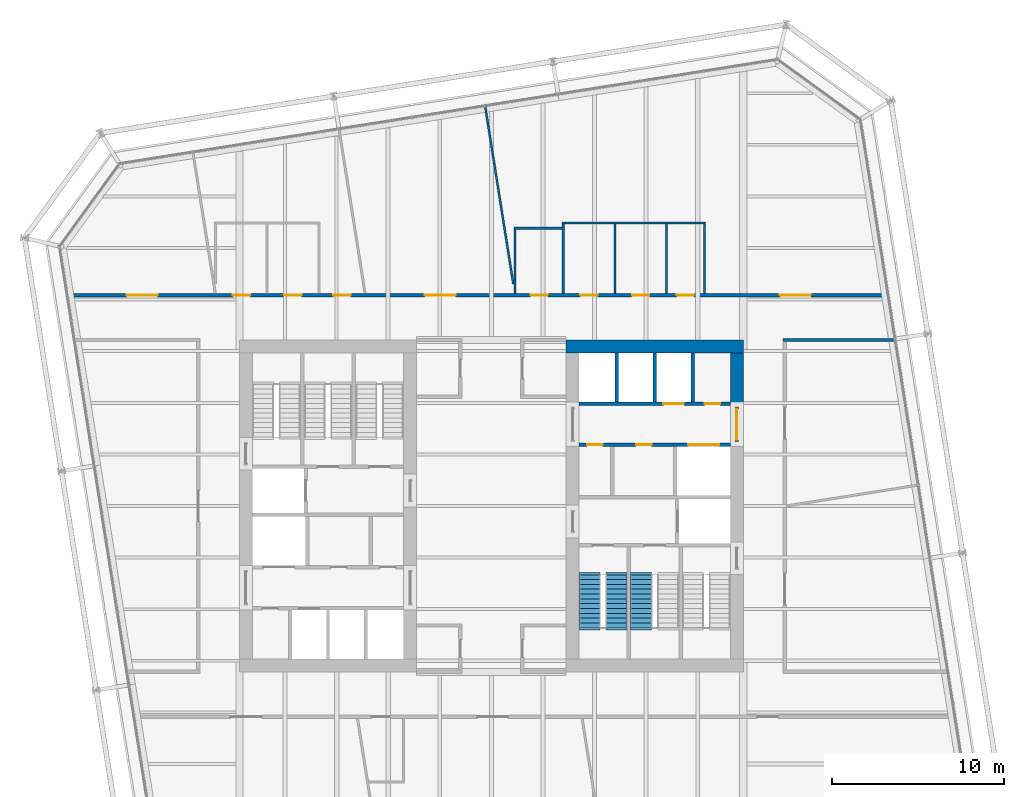
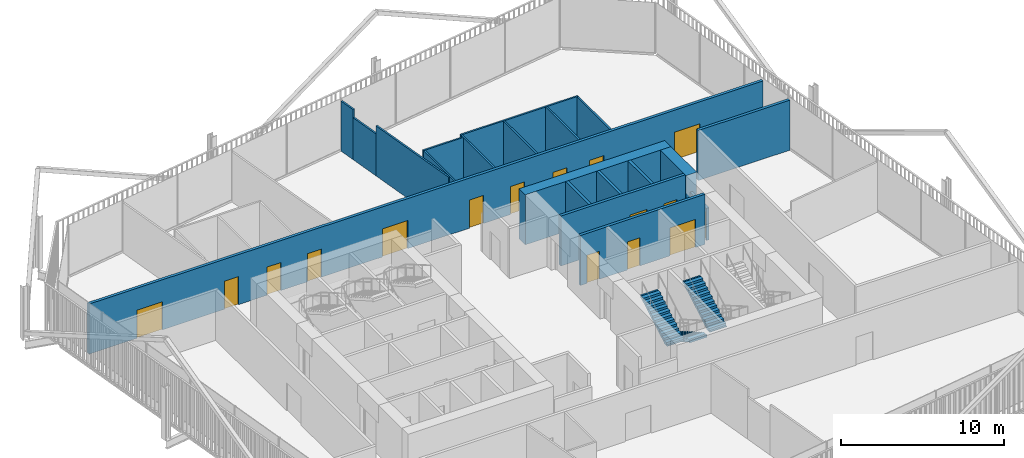
# One storey, part 20 of 22: 20 walls, 16 doors, 3 stair flights, 16 openings, 2 elements without a shape of their own.
"""IFC4 building model written with IfcOpenShell, lengths in metres."""

from ifc_helpers import new_model, si_unit, direction, frame, frame_2d, origin, place, context, subcontext, project, spatial, polyline, rectangle, outline, extrude, material, layer, layer_set, type_object, element, fill, aggregate, save


model = new_model("IFC4")

# Units and contexts
model_context = context("Model", 3, precision=1e-05, world=origin(), true_north=direction((0.0, 1.0)))
body_context = subcontext(model_context, "Body", "Model", "MODEL_VIEW")
ifc_project = project(units=[si_unit("LENGTHUNIT", "METRE"), si_unit("AREAUNIT", "SQUARE_METRE"), si_unit("VOLUMEUNIT", "CUBIC_METRE"), si_unit("PLANEANGLEUNIT", "RADIAN"), si_unit("MASSUNIT", "GRAM", prefix="KILO")], contexts=[model_context])

# Site, building, storey
site_placement = place(None, origin())
site = spatial("IfcSite", under=ifc_project, at=site_placement, CompositionType="ELEMENT")
building_placement = place(site_placement, origin())
building = spatial("IfcBuilding", under=site, at=building_placement, Name="Millrace Tower", CompositionType="ELEMENT")
storey_placement = place(building_placement, frame((0.0, 0.0, 187.800048828125)))
storey = spatial("IfcBuildingStorey", under=building, at=storey_placement, Name="L42", CompositionType="ELEMENT", Elevation=187.800048828125)

# Walls
ifc_material_1 = material(Name="Concrete C70", Category="concrete")
ifc_layer_1 = layer(ifc_material_1, 0.75)
ifc_layer_set_1 = layer_set([ifc_layer_1], Name="Concrete C70")
wall_type_1 = type_object("IfcWallType", Name="Core wall 750 Concrete C70", PredefinedType="SHEAR", material=ifc_layer_set_1)
wall_1_placement = place(storey_placement, frame((14.64990234375, 9.27490234375, 0.0), z_axis=(0.0, 0.0, 1.0), x_axis=(-1.0, 0.0, 0.0)))
element("IfcWall", 1, at=wall_1_placement, inside=storey, type_object=wall_type_1, Name="Core wall E L42", PredefinedType="SHEAR", context=body_context, shape_type="SweptSolid", body=[
    extrude(rectangle(XDim=10.2998046875, YDim=0.75, at=frame_2d((5.14990234375, 0.0))), origin(), (0.0, 0.0, 1.0), 3.739990234375),
])
wall_2_placement = place(storey_placement, frame((14.27490234375, 8.89990234375, 0.0), z_axis=(0.0, 0.0, 1.0), x_axis=(0.0, -1.0, 0.0)))
element("IfcWall", 2, at=wall_2_placement, inside=storey, type_object=wall_type_1, Name="Core wall E L42", PredefinedType="SHEAR", context=body_context, shape_type="SweptSolid", body=[
    extrude(rectangle(XDim=3.14990234375, YDim=0.75, at=frame_2d((1.574951171875, 0.0))), origin(), (0.0, 0.0, 1.0), 3.739990234375),
])
ifc_material_2 = material(Name="Masonry partition, fire-rated", Category="masonry")
ifc_layer_2 = layer(ifc_material_2, 0.199951171875)
ifc_layer_set_2 = layer_set([ifc_layer_2], Name="Masonry partition, fire-rated")
wall_type_2 = type_object("IfcWallType", Name="Corridor wall 200", PredefinedType="PARTITIONING", material=ifc_layer_set_2)
wall_3_placement = place(storey_placement, frame((16.949951171875, 9.64990234375, 0.0), z_axis=(0.0, 0.0, 1.0), x_axis=(1.0, 0.0, 0.0)))
element("IfcWall", 3, at=wall_3_placement, inside=storey, type_object=wall_type_2, Name="Corridor wall L42", PredefinedType="PARTITIONING", context=body_context, shape_type="SweptSolid", body=[
    extrude(rectangle(XDim=6.489501953125, YDim=0.199951171875, at=frame_2d((3.24462890625, 0.0))), origin(), (0.0, 0.0, 1.0), 3.739990234375),
])

# Wall, openings, doors
wall_4_placement = place(storey_placement, frame((-24.618896484375, 12.25, 0.0), z_axis=(0.0, 0.0, 1.0), x_axis=(1.0, 0.0, 0.0)))
wall_4 = element("IfcWall", 4, at=wall_4_placement, inside=storey, type_object=wall_type_2, Name="Corridor wall L42", PredefinedType="PARTITIONING", context=body_context, shape_type="SweptSolid", body=[
    extrude(rectangle(XDim=47.646484375, YDim=0.199951171875, at=frame_2d((23.8232421875, 0.0))), origin(), (0.0, 0.0, 1.0), 3.739990234375),
])
opening_1_placement = place(wall_4_placement, frame((3.41845703125, 0.0, 0.0)))
opening_1 = element("IfcOpeningElement", 5, at=opening_1_placement, cuts=wall_4, Name="Opening 42-P005", PredefinedType="OPENING", context=body_context, shape_type="SweptSolid", body=[
    extrude(rectangle(XDim=1.800048828125, YDim=2.10009765625, at=frame_2d((0.89990234375, 1.050048828125))), frame((0.0, 0.10986328125, 0.0), z_axis=(0.0, -1.0, 0.0), x_axis=(1.0, 0.0, 0.0)), (0.0, 0.0, 1.0), 0.219970703125),
])
opening_2_placement = place(wall_4_placement, frame((15.439453125, 0.0, 0.0)))
opening_2 = element("IfcOpeningElement", 6, at=opening_2_placement, cuts=wall_4, Name="Opening 42-P006", PredefinedType="OPENING", context=body_context, shape_type="SweptSolid", body=[
    extrude(rectangle(XDim=1.0, YDim=2.10009765625, at=frame_2d((0.5, 1.050048828125))), frame((0.0, 0.10986328125, 0.0), z_axis=(0.0, -1.0, 0.0), x_axis=(1.0, 0.0, 0.0)), (0.0, 0.0, 1.0), 0.219970703125),
])
opening_3_placement = place(wall_4_placement, frame((9.5859375, 0.0, 0.0)))
opening_3 = element("IfcOpeningElement", 7, at=opening_3_placement, cuts=wall_4, Name="Opening 42-P007", PredefinedType="OPENING", context=body_context, shape_type="SweptSolid", body=[
    extrude(rectangle(XDim=1.0, YDim=2.10009765625, at=frame_2d((0.5, 1.050048828125))), frame((0.0, 0.10986328125, 0.0), z_axis=(0.0, -1.0, 0.0), x_axis=(1.0, 0.0, 0.0)), (0.0, 0.0, 1.0), 0.219970703125),
])
opening_4_placement = place(wall_4_placement, frame((12.5859375, 0.0, 0.0)))
opening_4 = element("IfcOpeningElement", 8, at=opening_4_placement, cuts=wall_4, Name="Opening 42-P008", PredefinedType="OPENING", context=body_context, shape_type="SweptSolid", body=[
    extrude(rectangle(XDim=1.0, YDim=2.10009765625, at=frame_2d((0.5, 1.050048828125))), frame((0.0, 0.10986328125, 0.0), z_axis=(0.0, -1.0, 0.0), x_axis=(1.0, 0.0, 0.0)), (0.0, 0.0, 1.0), 0.219970703125),
])
opening_5_placement = place(wall_4_placement, frame((20.746337890625, 0.0, 0.0)))
opening_5 = element("IfcOpeningElement", 9, at=opening_5_placement, cuts=wall_4, Name="Opening 42-P009", PredefinedType="OPENING", context=body_context, shape_type="SweptSolid", body=[
    extrude(rectangle(XDim=1.800048828125, YDim=2.10009765625, at=frame_2d((0.89990234375, 1.050048828125))), frame((0.0, 0.10986328125, 0.0), z_axis=(0.0, -1.0, 0.0), x_axis=(1.0, 0.0, 0.0)), (0.0, 0.0, 1.0), 0.219970703125),
])
opening_6_placement = place(wall_4_placement, frame((41.39794921875, 0.0, 0.0)))
opening_6 = element("IfcOpeningElement", 10, at=opening_6_placement, cuts=wall_4, Name="Opening 42-P010", PredefinedType="OPENING", context=body_context, shape_type="SweptSolid", body=[
    extrude(rectangle(XDim=1.800048828125, YDim=2.10009765625, at=frame_2d((0.89990234375, 1.050048828125))), frame((0.0, 0.10986328125, 0.0), z_axis=(0.0, -1.0, 0.0), x_axis=(1.0, 0.0, 0.0)), (0.0, 0.0, 1.0), 0.219970703125),
])
opening_7_placement = place(wall_4_placement, frame((26.89990234375, 0.0, 0.0)))
opening_7 = element("IfcOpeningElement", 11, at=opening_7_placement, cuts=wall_4, Name="Opening 42-P011", PredefinedType="OPENING", context=body_context, shape_type="SweptSolid", body=[
    extrude(rectangle(XDim=1.0, YDim=2.10009765625, at=frame_2d((0.5, 1.050048828125))), frame((0.0, 0.10986328125, 0.0), z_axis=(0.0, -1.0, 0.0), x_axis=(1.0, 0.0, 0.0)), (0.0, 0.0, 1.0), 0.219970703125),
])
opening_8_placement = place(wall_4_placement, frame((29.800048828125, 0.0, 0.0)))
opening_8 = element("IfcOpeningElement", 12, at=opening_8_placement, cuts=wall_4, Name="Opening 42-P019", PredefinedType="OPENING", context=body_context, shape_type="SweptSolid", body=[
    extrude(rectangle(XDim=1.0, YDim=2.10009765625, at=frame_2d((0.5, 1.050048828125))), frame((0.0, 0.10986328125, 0.0), z_axis=(0.0, -1.0, 0.0), x_axis=(1.0, 0.0, 0.0)), (0.0, 0.0, 1.0), 0.219970703125),
])
opening_9_placement = place(wall_4_placement, frame((32.800048828125, 0.0, 0.0)))
opening_9 = element("IfcOpeningElement", 13, at=opening_9_placement, cuts=wall_4, Name="Opening 42-P020", PredefinedType="OPENING", context=body_context, shape_type="SweptSolid", body=[
    extrude(rectangle(XDim=1.0, YDim=2.10009765625, at=frame_2d((0.5, 1.050048828125))), frame((0.0, 0.10986328125, 0.0), z_axis=(0.0, -1.0, 0.0), x_axis=(1.0, 0.0, 0.0)), (0.0, 0.0, 1.0), 0.219970703125),
])
opening_10_placement = place(wall_4_placement, frame((35.39990234375, 0.0, 0.0)))
opening_10 = element("IfcOpeningElement", 14, at=opening_10_placement, cuts=wall_4, Name="Opening 42-P021", PredefinedType="OPENING", context=body_context, shape_type="SweptSolid", body=[
    extrude(rectangle(XDim=1.0, YDim=2.10009765625, at=frame_2d((0.5, 1.050048828125))), frame((0.0, 0.10986328125, 0.0), z_axis=(0.0, -1.0, 0.0), x_axis=(1.0, 0.0, 0.0)), (0.0, 0.0, 1.0), 0.219970703125),
])
ifc_material_3 = material(Name="Steel door set, fire-rated", Category="steel")
door_type_1 = type_object("IfcDoorType", Name="Corridor door 1000 x 2100", OperationType="SINGLE_SWING_LEFT", PredefinedType="DOOR", material=ifc_material_3)
door_1_placement = place(opening_2_placement, origin())
door_1 = element("IfcDoor", 15, at=door_1_placement, inside=storey, type_object=door_type_1, Name="Door 42-P006", OperationType="SINGLE_SWING_LEFT", OverallHeight=2.10009765625, OverallWidth=1.0, PredefinedType="DOOR", context=body_context, shape_type="SweptSolid", body=[
    extrude(rectangle(XDim=1.0, YDim=2.10009765625, at=frame_2d((0.5, 1.050048828125))), frame((0.0, 0.02490234375, 0.0), z_axis=(0.0, -1.0, 0.0), x_axis=(1.0, 0.0, 0.0)), (0.0, 0.0, 1.0), 0.050048828125),
])
fill(opening_2, door_1)
door_2_placement = place(opening_3_placement, origin())
door_2 = element("IfcDoor", 16, at=door_2_placement, inside=storey, type_object=door_type_1, Name="Door 42-P007", OperationType="SINGLE_SWING_LEFT", OverallHeight=2.10009765625, OverallWidth=1.0, PredefinedType="DOOR", context=body_context, shape_type="SweptSolid", body=[
    extrude(rectangle(XDim=1.0, YDim=2.10009765625, at=frame_2d((0.5, 1.050048828125))), frame((0.0, 0.02490234375, 0.0), z_axis=(0.0, -1.0, 0.0), x_axis=(1.0, 0.0, 0.0)), (0.0, 0.0, 1.0), 0.050048828125),
])
fill(opening_3, door_2)
door_3_placement = place(opening_4_placement, origin())
door_3 = element("IfcDoor", 17, at=door_3_placement, inside=storey, type_object=door_type_1, Name="Door 42-P008", OperationType="SINGLE_SWING_LEFT", OverallHeight=2.10009765625, OverallWidth=1.0, PredefinedType="DOOR", context=body_context, shape_type="SweptSolid", body=[
    extrude(rectangle(XDim=1.0, YDim=2.10009765625, at=frame_2d((0.5, 1.050048828125))), frame((0.0, 0.02490234375, 0.0), z_axis=(0.0, -1.0, 0.0), x_axis=(1.0, 0.0, 0.0)), (0.0, 0.0, 1.0), 0.050048828125),
])
fill(opening_4, door_3)
door_4_placement = place(opening_7_placement, origin())
door_4 = element("IfcDoor", 18, at=door_4_placement, inside=storey, type_object=door_type_1, Name="Door 42-P011", OperationType="SINGLE_SWING_RIGHT", OverallHeight=2.10009765625, OverallWidth=1.0, PredefinedType="DOOR", context=body_context, shape_type="SweptSolid", body=[
    extrude(rectangle(XDim=1.0, YDim=2.10009765625, at=frame_2d((0.5, 1.050048828125))), frame((0.0, 0.02490234375, 0.0), z_axis=(0.0, -1.0, 0.0), x_axis=(1.0, 0.0, 0.0)), (0.0, 0.0, 1.0), 0.050048828125),
])
fill(opening_7, door_4)
door_5_placement = place(opening_8_placement, origin())
door_5 = element("IfcDoor", 19, at=door_5_placement, inside=storey, type_object=door_type_1, Name="Door 42-P019", OperationType="SINGLE_SWING_RIGHT", OverallHeight=2.10009765625, OverallWidth=1.0, PredefinedType="DOOR", context=body_context, shape_type="SweptSolid", body=[
    extrude(rectangle(XDim=1.0, YDim=2.10009765625, at=frame_2d((0.5, 1.050048828125))), frame((0.0, 0.02490234375, 0.0), z_axis=(0.0, -1.0, 0.0), x_axis=(1.0, 0.0, 0.0)), (0.0, 0.0, 1.0), 0.050048828125),
])
fill(opening_8, door_5)
door_6_placement = place(opening_9_placement, origin())
door_6 = element("IfcDoor", 20, at=door_6_placement, inside=storey, type_object=door_type_1, Name="Door 42-P020", OperationType="SINGLE_SWING_RIGHT", OverallHeight=2.10009765625, OverallWidth=1.0, PredefinedType="DOOR", context=body_context, shape_type="SweptSolid", body=[
    extrude(rectangle(XDim=1.0, YDim=2.10009765625, at=frame_2d((0.5, 1.050048828125))), frame((0.0, 0.02490234375, 0.0), z_axis=(0.0, -1.0, 0.0), x_axis=(1.0, 0.0, 0.0)), (0.0, 0.0, 1.0), 0.050048828125),
])
fill(opening_9, door_6)
door_7_placement = place(opening_10_placement, origin())
door_7 = element("IfcDoor", 21, at=door_7_placement, inside=storey, type_object=door_type_1, Name="Door 42-P021", OperationType="SINGLE_SWING_RIGHT", OverallHeight=2.10009765625, OverallWidth=1.0, PredefinedType="DOOR", context=body_context, shape_type="SweptSolid", body=[
    extrude(rectangle(XDim=1.0, YDim=2.10009765625, at=frame_2d((0.5, 1.050048828125))), frame((0.0, 0.02490234375, 0.0), z_axis=(0.0, -1.0, 0.0), x_axis=(1.0, 0.0, 0.0)), (0.0, 0.0, 1.0), 0.050048828125),
])
fill(opening_10, door_7)
ifc_material_4 = material(Name="Steel door set, fire-rated", Category="steel")
door_type_2 = type_object("IfcDoorType", Name="Corridor door 1800 x 2100", OperationType="DOUBLE_DOOR_SINGLE_SWING", PredefinedType="DOOR", material=ifc_material_4)
door_8_placement = place(opening_1_placement, origin())
door_8 = element("IfcDoor", 22, at=door_8_placement, inside=storey, type_object=door_type_2, Name="Door 42-P005", OperationType="DOUBLE_DOOR_SINGLE_SWING", OverallHeight=2.10009765625, OverallWidth=1.800048828125, PredefinedType="DOOR", context=body_context, shape_type="SweptSolid", body=[
    extrude(rectangle(XDim=1.800048828125, YDim=2.10009765625, at=frame_2d((0.89990234375, 1.050048828125))), frame((0.0, 0.02490234375, 0.0), z_axis=(0.0, -1.0, 0.0), x_axis=(1.0, 0.0, 0.0)), (0.0, 0.0, 1.0), 0.050048828125),
])
fill(opening_1, door_8)
door_9_placement = place(opening_5_placement, origin())
door_9 = element("IfcDoor", 23, at=door_9_placement, inside=storey, type_object=door_type_2, Name="Door 42-P009", OperationType="DOUBLE_DOOR_SINGLE_SWING", OverallHeight=2.10009765625, OverallWidth=1.800048828125, PredefinedType="DOOR", context=body_context, shape_type="SweptSolid", body=[
    extrude(rectangle(XDim=1.800048828125, YDim=2.10009765625, at=frame_2d((0.89990234375, 1.050048828125))), frame((0.0, 0.02490234375, 0.0), z_axis=(0.0, -1.0, 0.0), x_axis=(1.0, 0.0, 0.0)), (0.0, 0.0, 1.0), 0.050048828125),
])
fill(opening_5, door_9)
door_10_placement = place(opening_6_placement, frame((1.800048828125, 0.0, 0.0), z_axis=(0.0, 0.0, 1.0), x_axis=(-1.0, 0.0, 0.0)))
door_10 = element("IfcDoor", 24, at=door_10_placement, inside=storey, type_object=door_type_2, Name="Door 42-P010", OperationType="DOUBLE_DOOR_SINGLE_SWING", OverallHeight=2.10009765625, OverallWidth=1.800048828125, PredefinedType="DOOR", context=body_context, shape_type="SweptSolid", body=[
    extrude(rectangle(XDim=1.800048828125, YDim=2.10009765625, at=frame_2d((0.89990234375, 1.050048828125))), frame((0.0, 0.02490234375, 0.0), z_axis=(0.0, -1.0, 0.0), x_axis=(1.0, 0.0, 0.0)), (0.0, 0.0, 1.0), 0.050048828125),
])
fill(opening_6, door_10)

ifc_material_5 = material(Name="Masonry partition, fire-rated", Category="masonry")
ifc_layer_3 = layer(ifc_material_5, 0.199951171875)
ifc_layer_set_3 = layer_set([ifc_layer_3], Name="Masonry partition, fire-rated")
wall_type_3 = type_object("IfcWallType", Name="Lift shaft wall 200", PredefinedType="PARTITIONING", material=ifc_layer_set_3)
wall_5_placement = place(storey_placement, frame((13.89990234375, 5.949951171875, 0.0), z_axis=(0.0, 0.0, 1.0), x_axis=(-1.0, 0.0, 0.0)))
wall_5 = element("IfcWall", 25, at=wall_5_placement, inside=storey, type_object=wall_type_3, Name="Lift shaft wall E L42", PredefinedType="PARTITIONING", context=body_context, shape_type="SweptSolid", body=[
    extrude(rectangle(XDim=8.7998046875, YDim=0.199951171875, at=frame_2d((4.39990234375, 0.0))), origin(), (0.0, 0.0, 1.0), 3.739990234375),
])
opening_11_placement = place(wall_5_placement, frame((2.699951171875, 0.0, 0.0)))
opening_11 = element("IfcOpeningElement", 26, at=opening_11_placement, cuts=wall_5, Name="Opening 42-LD10", PredefinedType="OPENING", context=body_context, shape_type="SweptSolid", body=[
    extrude(rectangle(XDim=1.199951171875, YDim=2.10009765625, at=frame_2d((0.60009765625, 1.050048828125))), frame((0.0, 0.10986328125, 0.0), z_axis=(0.0, -1.0, 0.0), x_axis=(1.0, 0.0, 0.0)), (0.0, 0.0, 1.0), 0.219970703125),
])
opening_12_placement = place(wall_5_placement, frame((0.60009765625, 0.0, 0.0)))
opening_12 = element("IfcOpeningElement", 27, at=opening_12_placement, cuts=wall_5, Name="Opening 42-C014", PredefinedType="OPENING", context=body_context, shape_type="SweptSolid", body=[
    extrude(rectangle(XDim=0.89990234375, YDim=2.10009765625, at=frame_2d((0.449951171875, 1.050048828125))), frame((0.0, 0.10986328125, 0.0), z_axis=(0.0, -1.0, 0.0), x_axis=(1.0, 0.0, 0.0)), (0.0, 0.0, 1.0), 0.219970703125),
])
ifc_material_6 = material(Name="Stainless steel, fire-rated", Category="steel")
door_type_3 = type_object("IfcDoorType", Name="Lift landing door 1200 x 2100", OperationType="DOUBLE_DOOR_SLIDING", PredefinedType="DOOR", material=ifc_material_6)
door_11_placement = place(opening_11_placement, origin())
door_11 = element("IfcDoor", 28, at=door_11_placement, inside=storey, type_object=door_type_3, Name="Lift landing door LF10 L42", OperationType="DOUBLE_DOOR_SLIDING", OverallHeight=2.10009765625, OverallWidth=1.199951171875, PredefinedType="DOOR", context=body_context, shape_type="SweptSolid", body=[
    extrude(rectangle(XDim=1.199951171875, YDim=2.10009765625, at=frame_2d((0.60009765625, 1.050048828125))), frame((0.0, 0.02490234375, 0.0), z_axis=(0.0, -1.0, 0.0), x_axis=(1.0, 0.0, 0.0)), (0.0, 0.0, 1.0), 0.050048828125),
])
fill(opening_11, door_11)
ifc_material_7 = material(Name="Steel door, fire-rated", Category="steel")
door_type_4 = type_object("IfcDoorType", Name="Service room door 900 x 2100", OperationType="SINGLE_SWING_LEFT", PredefinedType="DOOR", material=ifc_material_7)
door_12_placement = place(opening_12_placement, frame((0.89990234375, 0.0, 0.0), z_axis=(0.0, 0.0, 1.0), x_axis=(-1.0, 0.0, 0.0)))
door_12 = element("IfcDoor", 29, at=door_12_placement, inside=storey, type_object=door_type_4, Name="Service room door 42-C014", OperationType="SINGLE_SWING_RIGHT", OverallHeight=2.10009765625, OverallWidth=0.89990234375, PredefinedType="DOOR", context=body_context, shape_type="SweptSolid", body=[
    extrude(rectangle(XDim=0.89990234375, YDim=2.10009765625, at=frame_2d((0.449951171875, 1.050048828125))), frame((0.0, 0.02490234375, 0.0), z_axis=(0.0, -1.0, 0.0), x_axis=(1.0, 0.0, 0.0)), (0.0, 0.0, 1.0), 0.050048828125),
])
fill(opening_12, door_12)

wall_6_placement = place(storey_placement, frame((13.89990234375, 3.550048828125, 0.0), z_axis=(0.0, 0.0, 1.0), x_axis=(-1.0, 0.0, 0.0)))
wall_6 = element("IfcWall", 30, at=wall_6_placement, inside=storey, type_object=wall_type_3, Name="Lift shaft wall E L42", PredefinedType="PARTITIONING", context=body_context, shape_type="SweptSolid", body=[
    extrude(rectangle(XDim=8.7998046875, YDim=0.199951171875, at=frame_2d((4.39990234375, 0.0))), origin(), (0.0, 0.0, 1.0), 3.739990234375),
])
opening_13_placement = place(wall_6_placement, frame((0.64990234375, 0.0, 0.0)))
opening_13 = element("IfcOpeningElement", 31, at=opening_13_placement, cuts=wall_6, Name="Opening 42-LD13", PredefinedType="OPENING", context=body_context, shape_type="SweptSolid", body=[
    extrude(rectangle(XDim=1.800048828125, YDim=2.10009765625, at=frame_2d((0.89990234375, 1.050048828125))), frame((0.0, 0.10986328125, 0.0), z_axis=(0.0, -1.0, 0.0), x_axis=(1.0, 0.0, 0.0)), (0.0, 0.0, 1.0), 0.219970703125),
])
opening_14_placement = place(wall_6_placement, frame((4.58740234375, 0.0, 0.0)))
opening_14 = element("IfcOpeningElement", 32, at=opening_14_placement, cuts=wall_6, Name="Opening 42-C015", PredefinedType="OPENING", context=body_context, shape_type="SweptSolid", body=[
    extrude(rectangle(XDim=0.89990234375, YDim=2.10009765625, at=frame_2d((0.449951171875, 1.050048828125))), frame((0.0, 0.10986328125, 0.0), z_axis=(0.0, -1.0, 0.0), x_axis=(1.0, 0.0, 0.0)), (0.0, 0.0, 1.0), 0.219970703125),
])
opening_15_placement = place(wall_6_placement, frame((7.4375, 0.0, 0.0)))
opening_15 = element("IfcOpeningElement", 33, at=opening_15_placement, cuts=wall_6, Name="Opening 42-C016", PredefinedType="OPENING", context=body_context, shape_type="SweptSolid", body=[
    extrude(rectangle(XDim=0.89990234375, YDim=2.10009765625, at=frame_2d((0.449951171875, 1.050048828125))), frame((0.0, 0.10986328125, 0.0), z_axis=(0.0, -1.0, 0.0), x_axis=(1.0, 0.0, 0.0)), (0.0, 0.0, 1.0), 0.219970703125),
])
ifc_material_8 = material(Name="Stainless steel, fire-rated", Category="steel")
door_type_5 = type_object("IfcDoorType", Name="Lift landing door 1800 x 2100", OperationType="DOUBLE_DOOR_SLIDING", PredefinedType="DOOR", material=ifc_material_8)
door_13_placement = place(opening_13_placement, origin())
door_13 = element("IfcDoor", 34, at=door_13_placement, inside=storey, type_object=door_type_5, Name="Lift landing door LF13 L42", OperationType="DOUBLE_DOOR_SLIDING", OverallHeight=2.10009765625, OverallWidth=1.800048828125, PredefinedType="DOOR", context=body_context, shape_type="SweptSolid", body=[
    extrude(rectangle(XDim=1.800048828125, YDim=2.10009765625, at=frame_2d((0.89990234375, 1.050048828125))), frame((0.0, 0.02490234375, 0.0), z_axis=(0.0, -1.0, 0.0), x_axis=(1.0, 0.0, 0.0)), (0.0, 0.0, 1.0), 0.050048828125),
])
fill(opening_13, door_13)
door_14_placement = place(opening_14_placement, origin())
door_14 = element("IfcDoor", 35, at=door_14_placement, inside=storey, type_object=door_type_4, Name="Service room door 42-C015", OperationType="SINGLE_SWING_RIGHT", OverallHeight=2.10009765625, OverallWidth=0.89990234375, PredefinedType="DOOR", context=body_context, shape_type="SweptSolid", body=[
    extrude(rectangle(XDim=0.89990234375, YDim=2.10009765625, at=frame_2d((0.449951171875, 1.050048828125))), frame((0.0, 0.02490234375, 0.0), z_axis=(0.0, -1.0, 0.0), x_axis=(1.0, 0.0, 0.0)), (0.0, 0.0, 1.0), 0.050048828125),
])
fill(opening_14, door_14)
door_15_placement = place(opening_15_placement, origin())
door_15 = element("IfcDoor", 36, at=door_15_placement, inside=storey, type_object=door_type_4, Name="Service room door 42-C016", OperationType="SINGLE_SWING_RIGHT", OverallHeight=2.10009765625, OverallWidth=0.89990234375, PredefinedType="DOOR", context=body_context, shape_type="SweptSolid", body=[
    extrude(rectangle(XDim=0.89990234375, YDim=2.10009765625, at=frame_2d((0.449951171875, 1.050048828125))), frame((0.0, 0.02490234375, 0.0), z_axis=(0.0, -1.0, 0.0), x_axis=(1.0, 0.0, 0.0)), (0.0, 0.0, 1.0), 0.050048828125),
])
fill(opening_15, door_15)

# Walls
for number, where, z_axis, x_axis, name in (
    (37, (11.699951171875, 8.89990234375, 0.0), (0.0, 0.0, 1.0), (0.0, -1.0, 0.0), "Lift shaft wall E L42"),
    (38, (9.5, 8.89990234375, 0.0), (0.0, 0.0, 1.0), (0.0, -1.0, 0.0), "Lift shaft wall E L42"),
    (39, (7.300048828125, 8.89990234375, 0.0), (0.0, 0.0, 1.0), (0.0, -1.0, 0.0), "Lift shaft wall E L42"),
):
    element("IfcWall", number, at=place(storey_placement, frame(where, z_axis=z_axis, x_axis=x_axis)), inside=storey, type_object=wall_type_3, Name=name, PredefinedType="PARTITIONING", context=body_context, shape_type="SweptSolid", body=[
        extrude(rectangle(XDim=2.849853515625, YDim=0.199951171875, at=frame_2d((1.4248046875, 0.0))), origin(), (0.0, 0.0, 1.0), 3.739990234375),
    ])

# Wall, opening, door
ifc_material_9 = material(Name="Masonry partition, fire-rated", Category="masonry")
ifc_layer_4 = layer(ifc_material_9, 0.199951171875)
ifc_layer_set_4 = layer_set([ifc_layer_4], Name="Masonry partition, fire-rated")
wall_type_4 = type_object("IfcWallType", Name="Lobby wall 200", PredefinedType="PARTITIONING", material=ifc_layer_set_4)
wall_7_placement = place(storey_placement, frame((14.27490234375, 5.75, 0.0), z_axis=(0.0, 0.0, 1.0), x_axis=(0.0, -1.0, 0.0)))
wall_7 = element("IfcWall", 40, at=wall_7_placement, inside=storey, type_object=wall_type_4, Name="Lobby wall E L42", PredefinedType="PARTITIONING", context=body_context, shape_type="SweptSolid", body=[
    extrude(rectangle(XDim=2.0, YDim=0.199951171875, at=frame_2d((1.0, 0.0))), origin(), (0.0, 0.0, 1.0), 2.39990234375),
])
opening_16_placement = place(wall_7_placement, frame((0.10009765625, 0.0, 0.0)))
opening_16 = element("IfcOpeningElement", 41, at=opening_16_placement, cuts=wall_7, Name="Opening 42-C010", PredefinedType="OPENING", context=body_context, shape_type="SweptSolid", body=[
    extrude(rectangle(XDim=1.800048828125, YDim=2.10009765625, at=frame_2d((0.89990234375, 1.050048828125))), frame((0.0, 0.10986328125, 0.0), z_axis=(0.0, -1.0, 0.0), x_axis=(1.0, 0.0, 0.0)), (0.0, 0.0, 1.0), 0.219970703125),
])
ifc_material_10 = material(Name="Steel door, fire-rated", Category="steel")
door_type_6 = type_object("IfcDoorType", Name="Lobby door 1800 x 2100", OperationType="DOUBLE_DOOR_SINGLE_SWING", PredefinedType="DOOR", material=ifc_material_10)
door_16_placement = place(opening_16_placement, origin())
door_16 = element("IfcDoor", 42, at=door_16_placement, inside=storey, type_object=door_type_6, Name="Lobby door 42-C010", OperationType="DOUBLE_DOOR_SINGLE_SWING", OverallHeight=2.10009765625, OverallWidth=1.800048828125, PredefinedType="DOOR", context=body_context, shape_type="SweptSolid", body=[
    extrude(rectangle(XDim=1.800048828125, YDim=2.10009765625, at=frame_2d((0.89990234375, 1.050048828125))), frame((0.0, 0.02490234375, 0.0), z_axis=(0.0, -1.0, 0.0), x_axis=(1.0, 0.0, 0.0)), (0.0, 0.0, 1.0), 0.050048828125),
])
fill(opening_16, door_16)

# Walls
ifc_material_11 = material(Name="Gypsum board partition")
ifc_layer_5 = layer(ifc_material_11, 0.1201171875)
ifc_layer_set_5 = layer_set([ifc_layer_5], Name="Gypsum board partition")
wall_type_5 = type_object("IfcWallType", Name="Partition wall 120", PredefinedType="PARTITIONING", material=ifc_layer_set_5)
wall_8_placement = place(storey_placement, frame((-0.35791015625, 23.2265625, 0.0), z_axis=(0.0, 0.0, 1.0), x_axis=(0.156600767985, -0.987661986444, 0.0)))
element("IfcWall", 43, at=wall_8_placement, inside=storey, type_object=wall_type_5, Name="Partition wall L42", PredefinedType="PARTITIONING", context=body_context, shape_type="SweptSolid", body=[
    extrude(rectangle(XDim=1.1787109375, YDim=0.1201171875, at=frame_2d((0.58935546875, 0.0))), origin(), (0.0, 0.0, 1.0), 3.739990234375),
])
wall_9_placement = place(storey_placement, frame((-0.17333984375, 22.0625, 0.0), z_axis=(0.0, 0.0, 1.0), x_axis=(0.156375374173, -0.987697697857, 0.0)))
element("IfcWall", 44, at=wall_9_placement, inside=storey, type_object=wall_type_5, Name="Partition wall L42", PredefinedType="PARTITIONING", context=body_context, shape_type="SweptSolid", body=[
    extrude(rectangle(XDim=2.217041015625, YDim=0.1201171875, at=frame_2d((1.1083984375, 0.0))), origin(), (0.0, 0.0, 1.0), 3.1328125),
])
wall_10_placement = place(storey_placement, frame((0.17333984375, 19.872802734375, 0.0), z_axis=(0.0, 0.0, 1.0), x_axis=(0.156494148145, -0.987678885871, 0.0)))
element("IfcWall", 45, at=wall_10_placement, inside=storey, type_object=wall_type_5, Name="Partition wall L42", PredefinedType="PARTITIONING", context=body_context, shape_type="SweptSolid", body=[
    extrude(rectangle(XDim=7.051513671875, YDim=0.1201171875, at=frame_2d((3.52587890625, 0.0))), origin(), (0.0, 0.0, 1.0), 3.739990234375),
])
wall_11_placement = place(storey_placement, frame((1.321044921875, 16.14990234375, 0.0), z_axis=(0.0, 0.0, 1.0), x_axis=(1.0, 0.0, 0.0)))
element("IfcWall", 46, at=wall_11_placement, inside=storey, type_object=wall_type_5, Name="Partition wall L42", PredefinedType="PARTITIONING", context=body_context, shape_type="SweptSolid", body=[
    extrude(rectangle(XDim=2.800048828125, YDim=0.1201171875, at=frame_2d((1.39990234375, 0.0))), origin(), (0.0, 0.0, 1.0), 3.739990234375),
])
wall_12_placement = place(storey_placement, frame((4.12109375, 16.449951171875, 0.0), z_axis=(0.0, 0.0, 1.0), x_axis=(1.0, 0.0, 0.0)))
element("IfcWall", 47, at=wall_12_placement, inside=storey, type_object=wall_type_5, Name="Partition wall L42", PredefinedType="PARTITIONING", context=body_context, shape_type="SweptSolid", body=[
    extrude(rectangle(XDim=8.31982421875, YDim=0.1201171875, at=frame_2d((4.159912109375, 0.0))), origin(), (0.0, 0.0, 1.0), 3.739990234375),
])
for number, where, z_axis, x_axis, name in (
    (48, (12.381103515625, 12.35009765625, 0.0), (0.0, 0.0, 1.0), (0.0, 1.0, 0.0), "Partition wall L42"),
    (49, (10.180908203125, 12.35009765625, 0.0), (0.0, 0.0, 1.0), (0.0, 1.0, 0.0), "Partition wall L42"),
    (50, (7.180908203125, 12.35009765625, 0.0), (0.0, 0.0, 1.0), (0.0, 1.0, 0.0), "Partition wall L42"),
    (51, (4.180908203125, 12.35009765625, 0.0), (0.0, 0.0, 1.0), (0.0, 1.0, 0.0), "Partition wall L42"),
):
    element("IfcWall", number, at=place(storey_placement, frame(where, z_axis=z_axis, x_axis=x_axis)), inside=storey, type_object=wall_type_5, Name=name, PredefinedType="PARTITIONING", context=body_context, shape_type="SweptSolid", body=[
        extrude(rectangle(XDim=4.039794921875, YDim=0.1201171875, at=frame_2d((2.02001953125, 0.0))), origin(), (0.0, 0.0, 1.0), 3.739990234375),
    ])
wall_13_placement = place(storey_placement, frame((1.381103515625, 12.35009765625, 0.0), z_axis=(0.0, 0.0, 1.0), x_axis=(0.0, 1.0, 0.0)))
element("IfcWall", 52, at=wall_13_placement, inside=storey, type_object=wall_type_5, Name="Partition wall L42", PredefinedType="PARTITIONING", context=body_context, shape_type="SweptSolid", body=[
    extrude(rectangle(XDim=3.739990234375, YDim=0.1201171875, at=frame_2d((1.8701171875, 0.0))), origin(), (0.0, 0.0, 1.0), 3.739990234375),
])

# Stair, stair flight
ifc_material_12 = material(Name="Concrete C35", Category="concrete")
stair_type = type_object("IfcStairType", Name="Exit stair", PredefinedType="HALF_TURN_STAIR", material=ifc_material_12)
placement = place(storey_placement, origin())
stair_1 = element("IfcStair", 53, at=placement, inside=storey, type_object=stair_type, Name="Stair 2 E L42", PredefinedType="HALF_TURN_STAIR")
ifc_material_13 = material(Name="Concrete C35", Category="concrete")
stair_flight_type = type_object("IfcStairFlightType", Name="Exit stair flight", PredefinedType="STRAIGHT", material=ifc_material_13)
stair_flight_1_placement = place(storey_placement, frame((8.7099609375, -7.080078125, 1.949951171875), z_axis=(0.0, 0.0, 1.0), x_axis=(0.0, 1.0, 0.0)))
stair_flight_1 = element("IfcStairFlight", 54, at=stair_flight_1_placement, type_object=stair_flight_type, Name="ST12 flight 2", NumberOfRisers=12, NumberOfTreads=11, PredefinedType="STRAIGHT", RiserHeight=0.1625, TreadLength=0.28, context=body_context, shape_type="SweptSolid", body=[
    extrude(outline(polyline([(-0.1201171875, -0.0400390625), (-0.1201171875, 0.0), (0.0, 0.0), (0.0, 0.16259765625), (0.280029296875, 0.16259765625), (0.280029296875, 0.324951171875), (0.56005859375, 0.324951171875), (0.56005859375, 0.487548828125), (0.840087890625, 0.487548828125), (0.840087890625, 0.64990234375), (1.1201171875, 0.64990234375), (1.1201171875, 0.8125), (1.39990234375, 0.8125), (1.39990234375, 0.97509765625), (1.679931640625, 0.97509765625), (1.679931640625, 1.137451171875), (1.9599609375, 1.137451171875), (1.9599609375, 1.300048828125), (2.239990234375, 1.300048828125), (2.239990234375, 1.46240234375), (2.52001953125, 1.46240234375), (2.52001953125, 1.625), (2.800048828125, 1.625), (2.800048828125, 1.78759765625), (3.080078125, 1.78759765625), (3.080078125, 1.8076171875), (3.199951171875, 1.8076171875), (3.199951171875, 1.6142578125), (3.080078125, 1.6142578125), (0.298583984375, 0.0), (0.298583984375, -0.0400390625), (-0.1201171875, -0.0400390625)])), frame((0.0, 0.60986328125, 0.0), z_axis=(0.0, -1.0, 0.0), x_axis=(1.0, 0.0, 0.0)), (0.0, 0.0, 1.0), 1.219970703125),
])
aggregate(stair_1, [stair_flight_1])

# Stair, stair flights
stair_2 = element("IfcStair", 55, at=placement, inside=storey, type_object=stair_type, Name="Stair 3 E L42", PredefinedType="HALF_TURN_STAIR")
stair_flight_2_placement = place(storey_placement, frame((7.2900390625, -4.0, 0.0), z_axis=(0.0, 0.0, 1.0), x_axis=(0.0, -1.0, 0.0)))
stair_flight_2 = element("IfcStairFlight", 56, at=stair_flight_2_placement, type_object=stair_flight_type, Name="ST12 flight 1", NumberOfRisers=12, NumberOfTreads=11, PredefinedType="STRAIGHT", RiserHeight=0.1625, TreadLength=0.28, context=body_context, shape_type="SweptSolid", body=[
    extrude(outline(polyline([(-0.1201171875, -0.0400390625), (-0.1201171875, 0.0), (0.0, 0.0), (0.0, 0.16259765625), (0.280029296875, 0.16259765625), (0.280029296875, 0.324951171875), (0.56005859375, 0.324951171875), (0.56005859375, 0.487548828125), (0.840087890625, 0.487548828125), (0.840087890625, 0.64990234375), (1.1201171875, 0.64990234375), (1.1201171875, 0.8125), (1.39990234375, 0.8125), (1.39990234375, 0.97509765625), (1.679931640625, 0.97509765625), (1.679931640625, 1.137451171875), (1.9599609375, 1.137451171875), (1.9599609375, 1.300048828125), (2.239990234375, 1.300048828125), (2.239990234375, 1.46240234375), (2.52001953125, 1.46240234375), (2.52001953125, 1.625), (2.800048828125, 1.625), (2.800048828125, 1.78759765625), (3.080078125, 1.78759765625), (3.080078125, 1.8076171875), (3.199951171875, 1.8076171875), (3.199951171875, 1.6142578125), (3.080078125, 1.6142578125), (0.298583984375, 0.0), (0.298583984375, -0.0400390625), (-0.1201171875, -0.0400390625)])), frame((0.0, 0.60986328125, 0.0), z_axis=(0.0, -1.0, 0.0), x_axis=(1.0, 0.0, 0.0)), (0.0, 0.0, 1.0), 1.219970703125),
])
stair_flight_3_placement = place(storey_placement, frame((5.7099609375, -7.080078125, 1.949951171875), z_axis=(0.0, 0.0, 1.0), x_axis=(0.0, 1.0, 0.0)))
stair_flight_3 = element("IfcStairFlight", 57, at=stair_flight_3_placement, type_object=stair_flight_type, Name="ST12 flight 2", NumberOfRisers=12, NumberOfTreads=11, PredefinedType="STRAIGHT", RiserHeight=0.1625, TreadLength=0.28, context=body_context, shape_type="SweptSolid", body=[
    extrude(outline(polyline([(-0.1201171875, -0.0400390625), (-0.1201171875, 0.0), (0.0, 0.0), (0.0, 0.16259765625), (0.280029296875, 0.16259765625), (0.280029296875, 0.324951171875), (0.56005859375, 0.324951171875), (0.56005859375, 0.487548828125), (0.840087890625, 0.487548828125), (0.840087890625, 0.64990234375), (1.1201171875, 0.64990234375), (1.1201171875, 0.8125), (1.39990234375, 0.8125), (1.39990234375, 0.97509765625), (1.679931640625, 0.97509765625), (1.679931640625, 1.137451171875), (1.9599609375, 1.137451171875), (1.9599609375, 1.300048828125), (2.239990234375, 1.300048828125), (2.239990234375, 1.46240234375), (2.52001953125, 1.46240234375), (2.52001953125, 1.625), (2.800048828125, 1.625), (2.800048828125, 1.78759765625), (3.080078125, 1.78759765625), (3.080078125, 1.8076171875), (3.199951171875, 1.8076171875), (3.199951171875, 1.6142578125), (3.080078125, 1.6142578125), (0.298583984375, 0.0), (0.298583984375, -0.0400390625), (-0.1201171875, -0.0400390625)])), frame((0.0, 0.60986328125, 0.0), z_axis=(0.0, -1.0, 0.0), x_axis=(1.0, 0.0, 0.0)), (0.0, 0.0, 1.0), 1.219970703125),
])
aggregate(stair_2, [stair_flight_2, stair_flight_3])

save(model, "model.ifc")
